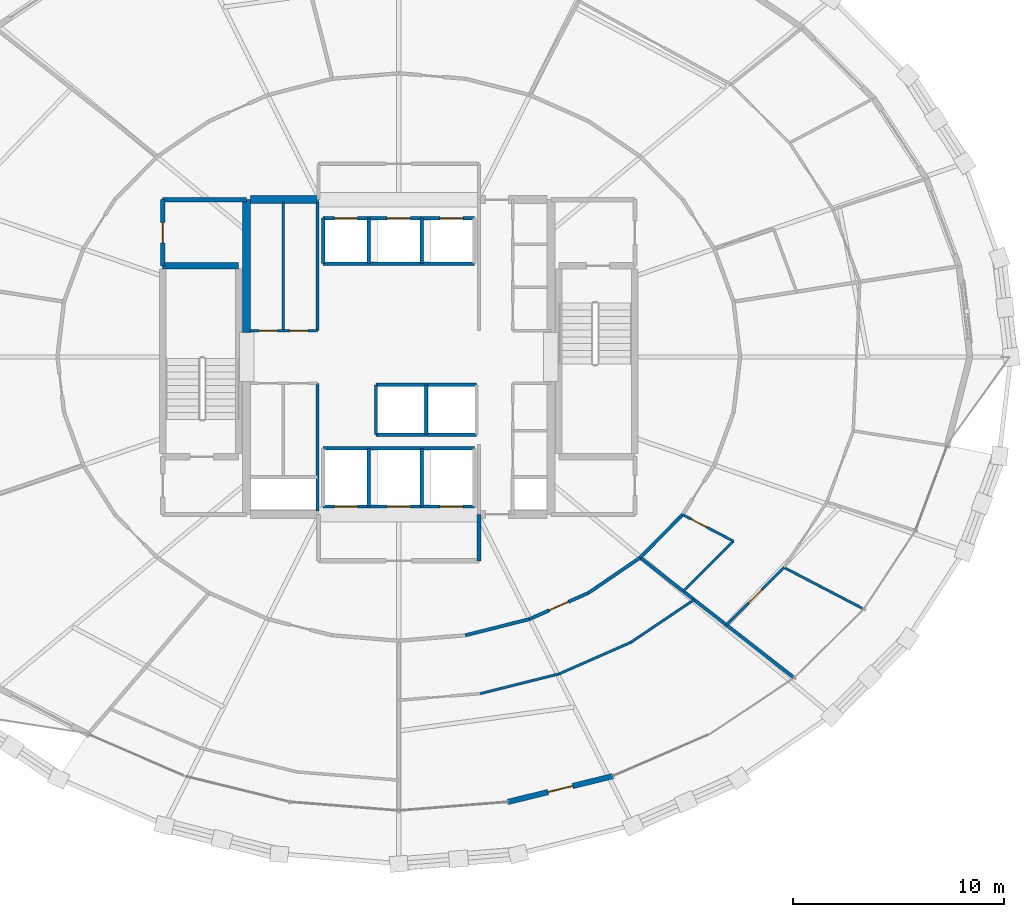
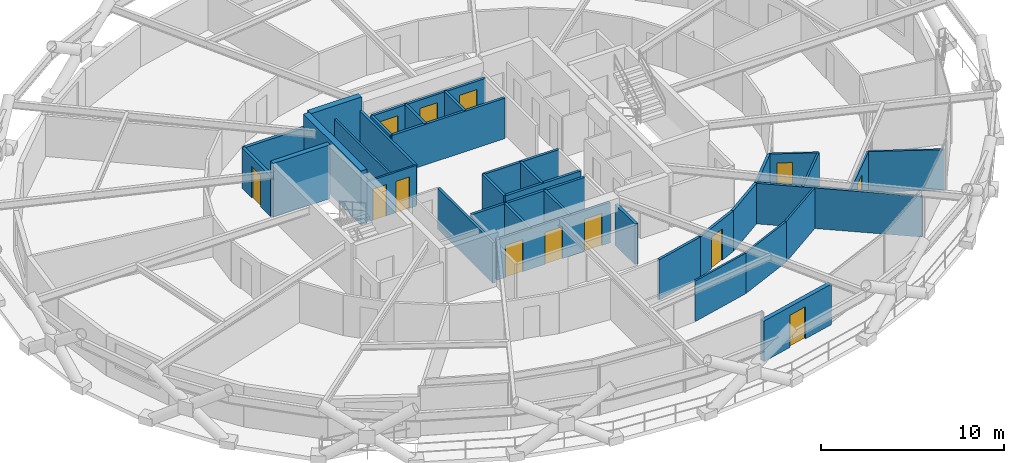
# One storey, part 16 of 22: 36 walls, 13 doors, 13 openings.
"""IFC4 building model written with IfcOpenShell, lengths in metres."""

from ifc_helpers import new_model, si_unit, direction, frame, frame_2d, origin, place, context, subcontext, project, spatial, rectangle, extrude, material, layer, layer_set, type_object, element, fill, save


model = new_model("IFC4")

# Units and contexts
model_context = context("Model", 3, precision=1e-05, world=origin(), true_north=direction((0.0, 1.0)))
body_context = subcontext(model_context, "Body", "Model", "MODEL_VIEW")
ifc_project = project(units=[si_unit("LENGTHUNIT", "METRE"), si_unit("AREAUNIT", "SQUARE_METRE"), si_unit("VOLUMEUNIT", "CUBIC_METRE"), si_unit("PLANEANGLEUNIT", "RADIAN"), si_unit("MASSUNIT", "GRAM", prefix="KILO")], contexts=[model_context])

# Site, building, storey
site_placement = place(None, origin())
site = spatial("IfcSite", under=ifc_project, at=site_placement, CompositionType="ELEMENT")
building_placement = place(site_placement, origin())
building = spatial("IfcBuilding", under=site, at=building_placement, Name="Veldorina Hangang Commons", CompositionType="ELEMENT")
storey_placement = place(building_placement, frame((0.0, 0.0, 80.800048828125)))
storey = spatial("IfcBuildingStorey", under=building, at=storey_placement, Name="L20", CompositionType="ELEMENT", Elevation=80.800048828125)

# Walls
ifc_material_1 = material(Name="Concrete C70/85", Category="concrete")
ifc_layer_1 = layer(ifc_material_1, 0.3798828125)
ifc_layer_set_1 = layer_set([ifc_layer_1], Name="Concrete C70/85")
wall_type_1 = type_object("IfcWallType", Name="CW-RC380-C70", PredefinedType="SHEAR", material=ifc_layer_set_1)
wall_1_placement = place(storey_placement, frame((24.800048828125, 25.14990234375, 0.0), z_axis=(0.0, 0.0, 1.0), x_axis=(0.0, 1.0, 0.0)))
element("IfcWall", 1, at=wall_1_placement, inside=storey, type_object=wall_type_1, Name="L20 W north core shear wall", PredefinedType="SHEAR", context=body_context, shape_type="SweptSolid", body=[
    extrude(rectangle(XDim=6.300048828125, YDim=0.3798828125, at=frame_2d((3.14990234375, 0.0))), origin(), (0.0, 0.0, 1.0), 3.599853515625),
])
wall_2_placement = place(storey_placement, frame((24.989990234375, 31.449951171875, 0.0), z_axis=(0.0, 0.0, 1.0), x_axis=(1.0, 0.0, 0.0)))
element("IfcWall", 2, at=wall_2_placement, inside=storey, type_object=wall_type_1, Name="L20 north-west core shear wall", PredefinedType="SHEAR", context=body_context, shape_type="SweptSolid", body=[
    extrude(rectangle(XDim=3.2099609375, YDim=0.3798828125, at=frame_2d((1.60498046875, 0.0))), origin(), (0.0, 0.0, 1.0), 3.599853515625),
])

# Wall, opening, door
ifc_material_2 = material(Name="Stone Roman Travertine", Category="masonry")
ifc_layer_2 = layer(ifc_material_2, 0.260009765625)
ifc_layer_set_2 = layer_set([ifc_layer_2], Name="Stone Roman Travertine")
wall_type_2 = type_object("IfcWallType", Name="EW-LOGGIA-260", PredefinedType="STANDARD", material=ifc_layer_set_2)
wall_3_placement = place(storey_placement, frame((37.166015625, 2.9326171875, 0.0), z_axis=(0.0, 0.0, 1.0), x_axis=(0.97103140573, 0.238951897011, 0.0)))
wall_3 = element("IfcWall", 3, at=wall_3_placement, inside=storey, type_object=wall_type_2, Name="L20 sky-garden loggia portal wall 25", PredefinedType="STANDARD", context=body_context, shape_type="SweptSolid", body=[
    extrude(rectangle(XDim=5.11572265625, YDim=0.260009765625, at=frame_2d((2.557861328125, 0.0))), origin(), (0.0, 0.0, 1.0), 2.7099609375),
])
opening_1_placement = place(wall_3_placement, frame((1.957763671875, 0.0, 0.0)))
opening_1 = element("IfcOpeningElement", 4, at=opening_1_placement, cuts=wall_3, Name="Opening BD-1200", PredefinedType="OPENING", context=body_context, shape_type="SweptSolid", body=[
    extrude(rectangle(XDim=1.199951171875, YDim=2.14990234375, at=frame_2d((0.60009765625, 1.074951171875))), frame((0.0, 0.14013671875, 0.0), z_axis=(0.0, -1.0, 0.0), x_axis=(1.0, 0.0, 0.0)), (0.0, 0.0, 1.0), 0.280029296875),
])
ifc_material_3 = material(Name="Glass Thermal Aluminium Frame", Category="aluminium")
door_type_1 = type_object("IfcDoorType", Name="DR-EXT-LOG1200", OperationType="SINGLE_SWING_LEFT", PredefinedType="DOOR", material=ifc_material_3)
door_1_placement = place(opening_1_placement, origin())
door_1 = element("IfcDoor", 5, at=door_1_placement, inside=storey, type_object=door_type_1, Name="L20 loggia glazed exterior door 25", OperationType="SINGLE_SWING_RIGHT", OverallHeight=2.14990234375, OverallWidth=1.199951171875, PredefinedType="DOOR", context=body_context, shape_type="SweptSolid", body=[
    extrude(rectangle(XDim=1.199951171875, YDim=2.14990234375, at=frame_2d((0.60009765625, 1.074951171875))), frame((0.0, 0.02490234375, 0.0), z_axis=(0.0, -1.0, 0.0), x_axis=(1.0, 0.0, 0.0)), (0.0, 0.0, 1.0), 0.050048828125),
])
fill(opening_1, door_1)

# Wall
ifc_material_4 = material(Name="Concrete C50/60", Category="concrete")
ifc_layer_3 = layer(ifc_material_4, 0.300048828125)
ifc_layer_set_3 = layer_set([ifc_layer_3], Name="Concrete C50/60")
wall_type_3 = type_object("IfcWallType", Name="SW-STAIR-300", PredefinedType="SHEAR", material=ifc_layer_set_3)
wall_4_placement = place(storey_placement, frame((20.820068359375, 28.320068359375, 0.0), z_axis=(0.0, 0.0, 1.0), x_axis=(1.0, 0.0, 0.0)))
element("IfcWall", 6, at=wall_4_placement, inside=storey, type_object=wall_type_3, Name="L20 ST1 north stair shear wall", PredefinedType="SHEAR", context=body_context, shape_type="SweptSolid", body=[
    extrude(rectangle(XDim=3.599853515625, YDim=0.300048828125, at=frame_2d((1.7998046875, 0.0))), origin(), (0.0, 0.0, 1.0), 3.599853515625),
])

# Wall, openings, doors
ifc_material_5 = material(Name="Gypsum Fire-Rated Twin Stud Wall", Category="gypsum")
ifc_layer_4 = layer(ifc_material_5, 0.159912109375)
ifc_layer_set_4 = layer_set([ifc_layer_4], Name="Gypsum Fire-Rated Twin Stud Wall")
wall_type_4 = type_object("IfcWallType", Name="WL-FIRE-160", PredefinedType="SOLIDWALL", material=ifc_layer_set_4)
wall_5_placement = place(storey_placement, frame((28.419921875, 30.580078125, 0.0), z_axis=(0.0, 0.0, 1.0), x_axis=(1.0, 0.0, 0.0)))
wall_5 = element("IfcWall", 7, at=wall_5_placement, inside=storey, type_object=wall_type_4, Name="L20 Low-bank front shaft wall 015", PredefinedType="SOLIDWALL", context=body_context, shape_type="SweptSolid", body=[
    extrude(rectangle(XDim=7.16015625, YDim=0.159912109375, at=frame_2d((3.580078125, 0.0))), origin(), (0.0, 0.0, 1.0), 2.7099609375),
])
opening_2_placement = place(wall_5_placement, frame((0.530029296875, 0.0, 0.0)))
opening_2 = element("IfcOpeningElement", 8, at=opening_2_placement, cuts=wall_5, Name="Opening LD-01", PredefinedType="OPENING", context=body_context, shape_type="SweptSolid", body=[
    extrude(rectangle(XDim=1.10009765625, YDim=2.14990234375, at=frame_2d((0.550048828125, 1.074951171875))), frame((0.0, 0.08984375, 0.0), z_axis=(0.0, -1.0, 0.0), x_axis=(1.0, 0.0, 0.0)), (0.0, 0.0, 1.0), 0.179931640625),
])
opening_3_placement = place(wall_5_placement, frame((3.030029296875, 0.0, 0.0)))
opening_3 = element("IfcOpeningElement", 9, at=opening_3_placement, cuts=wall_5, Name="Opening LD-01", PredefinedType="OPENING", context=body_context, shape_type="SweptSolid", body=[
    extrude(rectangle(XDim=1.10009765625, YDim=2.14990234375, at=frame_2d((0.550048828125, 1.074951171875))), frame((0.0, 0.08984375, 0.0), z_axis=(0.0, -1.0, 0.0), x_axis=(1.0, 0.0, 0.0)), (0.0, 0.0, 1.0), 0.179931640625),
])
opening_4_placement = place(wall_5_placement, frame((5.530029296875, 0.0, 0.0)))
opening_4 = element("IfcOpeningElement", 10, at=opening_4_placement, cuts=wall_5, Name="Opening LD-01", PredefinedType="OPENING", context=body_context, shape_type="SweptSolid", body=[
    extrude(rectangle(XDim=1.10009765625, YDim=2.14990234375, at=frame_2d((0.550048828125, 1.074951171875))), frame((0.0, 0.08984375, 0.0), z_axis=(0.0, -1.0, 0.0), x_axis=(1.0, 0.0, 0.0)), (0.0, 0.0, 1.0), 0.179931640625),
])
ifc_material_6 = material(Name="Stainless Steel Brushed Lift Door", Category="steel")
door_type_2 = type_object("IfcDoorType", Name="DR-LIFT-1100", OperationType="SLIDING_TO_LEFT", PredefinedType="DOOR", material=ifc_material_6)
door_2_placement = place(opening_2_placement, origin())
door_2 = element("IfcDoor", 11, at=door_2_placement, inside=storey, type_object=door_type_2, Name="L20 Lift PL-L1 landing door 006", OperationType="SLIDING_TO_LEFT", OverallHeight=2.14990234375, OverallWidth=1.10009765625, PredefinedType="DOOR", context=body_context, shape_type="SweptSolid", body=[
    extrude(rectangle(XDim=1.10009765625, YDim=2.14990234375, at=frame_2d((0.550048828125, 1.074951171875))), frame((0.0, 0.02490234375, 0.0), z_axis=(0.0, -1.0, 0.0), x_axis=(1.0, 0.0, 0.0)), (0.0, 0.0, 1.0), 0.050048828125),
])
fill(opening_2, door_2)
door_3_placement = place(opening_3_placement, origin())
door_3 = element("IfcDoor", 12, at=door_3_placement, inside=storey, type_object=door_type_2, Name="L20 Lift PL-L2 landing door 007", OperationType="SLIDING_TO_LEFT", OverallHeight=2.14990234375, OverallWidth=1.10009765625, PredefinedType="DOOR", context=body_context, shape_type="SweptSolid", body=[
    extrude(rectangle(XDim=1.10009765625, YDim=2.14990234375, at=frame_2d((0.550048828125, 1.074951171875))), frame((0.0, 0.02490234375, 0.0), z_axis=(0.0, -1.0, 0.0), x_axis=(1.0, 0.0, 0.0)), (0.0, 0.0, 1.0), 0.050048828125),
])
fill(opening_3, door_3)
door_4_placement = place(opening_4_placement, origin())
door_4 = element("IfcDoor", 13, at=door_4_placement, inside=storey, type_object=door_type_2, Name="L20 Lift PL-L3 landing door 008", OperationType="SLIDING_TO_LEFT", OverallHeight=2.14990234375, OverallWidth=1.10009765625, PredefinedType="DOOR", context=body_context, shape_type="SweptSolid", body=[
    extrude(rectangle(XDim=1.10009765625, YDim=2.14990234375, at=frame_2d((0.550048828125, 1.074951171875))), frame((0.0, 0.02490234375, 0.0), z_axis=(0.0, -1.0, 0.0), x_axis=(1.0, 0.0, 0.0)), (0.0, 0.0, 1.0), 0.050048828125),
])
fill(opening_4, door_4)

# Walls
wall_6_placement = place(storey_placement, frame((28.419921875, 28.419921875, 0.0), z_axis=(0.0, 0.0, 1.0), x_axis=(1.0, 0.0, 0.0)))
element("IfcWall", 14, at=wall_6_placement, inside=storey, type_object=wall_type_4, Name="L20 Low-bank rear shaft wall 016", PredefinedType="SOLIDWALL", context=body_context, shape_type="SweptSolid", body=[
    extrude(rectangle(XDim=7.16015625, YDim=0.159912109375, at=frame_2d((3.580078125, 0.0))), origin(), (0.0, 0.0, 1.0), 2.7099609375),
])
for number, where, z_axis, x_axis, name in (
    (15, (28.419921875, 28.419921875, 0.0), (0.0, 0.0, 1.0), (0.0, 1.0, 0.0), "L20 PL-L1 west shaft wall 017"),
    (16, (30.580078125, 28.419921875, 0.0), (0.0, 0.0, 1.0), (0.0, 1.0, 0.0), "L20 PL-L1 east shaft wall 018"),
    (17, (33.080078125, 28.419921875, 0.0), (0.0, 0.0, 1.0), (0.0, 1.0, 0.0), "L20 PL-L2 east shaft wall 019"),
):
    element("IfcWall", number, at=place(storey_placement, frame(where, z_axis=z_axis, x_axis=x_axis)), inside=storey, type_object=wall_type_4, Name=name, PredefinedType="SOLIDWALL", context=body_context, shape_type="SweptSolid", body=[
        extrude(rectangle(XDim=2.16015625, YDim=0.159912109375, at=frame_2d((1.080078125, 0.0))), origin(), (0.0, 0.0, 1.0), 2.7099609375),
    ])
for number, where, z_axis, x_axis, name in (
    (18, (30.919921875, 22.679931640625, 0.0), (0.0, 0.0, 1.0), (1.0, 0.0, 0.0), "L20 Shuttle-high front shaft wall 021"),
    (19, (30.919921875, 20.320068359375, 0.0), (0.0, 0.0, 1.0), (1.0, 0.0, 0.0), "L20 Shuttle-high rear shaft wall 022"),
):
    element("IfcWall", number, at=place(storey_placement, frame(where, z_axis=z_axis, x_axis=x_axis)), inside=storey, type_object=wall_type_4, Name=name, PredefinedType="SOLIDWALL", context=body_context, shape_type="SweptSolid", body=[
        extrude(rectangle(XDim=4.760009765625, YDim=0.159912109375, at=frame_2d((2.3798828125, 0.0))), origin(), (0.0, 0.0, 1.0), 2.7099609375),
    ])
for number, where, z_axis, x_axis, name in (
    (20, (30.919921875, 20.320068359375, 0.0), (0.0, 0.0, 1.0), (0.0, 1.0, 0.0), "L20 SL-1 west shaft wall 023"),
    (21, (33.300048828125, 20.320068359375, 0.0), (0.0, 0.0, 1.0), (0.0, 1.0, 0.0), "L20 SL-1 east shaft wall 024"),
):
    element("IfcWall", number, at=place(storey_placement, frame(where, z_axis=z_axis, x_axis=x_axis)), inside=storey, type_object=wall_type_4, Name=name, PredefinedType="SOLIDWALL", context=body_context, shape_type="SweptSolid", body=[
        extrude(rectangle(XDim=2.35986328125, YDim=0.159912109375, at=frame_2d((1.179931640625, 0.0))), origin(), (0.0, 0.0, 1.0), 2.7099609375),
    ])

# Wall, openings, doors
wall_7_placement = place(storey_placement, frame((28.419921875, 16.919921875, 0.0), z_axis=(0.0, 0.0, 1.0), x_axis=(1.0, 0.0, 0.0)))
wall_7 = element("IfcWall", 22, at=wall_7_placement, inside=storey, type_object=wall_type_4, Name="L20 Emergency front shaft wall 026", PredefinedType="SOLIDWALL", context=body_context, shape_type="SweptSolid", body=[
    extrude(rectangle(XDim=7.16015625, YDim=0.159912109375, at=frame_2d((3.580078125, 0.0))), origin(), (0.0, 0.0, 1.0), 2.7099609375),
])
opening_5_placement = place(wall_7_placement, frame((0.530029296875, 0.0, 0.0)))
opening_5 = element("IfcOpeningElement", 23, at=opening_5_placement, cuts=wall_7, Name="Opening LD-03", PredefinedType="OPENING", context=body_context, shape_type="SweptSolid", body=[
    extrude(rectangle(XDim=1.10009765625, YDim=2.14990234375, at=frame_2d((0.550048828125, 1.074951171875))), frame((0.0, 0.08984375, 0.0), z_axis=(0.0, -1.0, 0.0), x_axis=(1.0, 0.0, 0.0)), (0.0, 0.0, 1.0), 0.179931640625),
])
opening_6_placement = place(wall_7_placement, frame((3.030029296875, 0.0, 0.0)))
opening_6 = element("IfcOpeningElement", 24, at=opening_6_placement, cuts=wall_7, Name="Opening LD-03", PredefinedType="OPENING", context=body_context, shape_type="SweptSolid", body=[
    extrude(rectangle(XDim=1.10009765625, YDim=2.14990234375, at=frame_2d((0.550048828125, 1.074951171875))), frame((0.0, 0.08984375, 0.0), z_axis=(0.0, -1.0, 0.0), x_axis=(1.0, 0.0, 0.0)), (0.0, 0.0, 1.0), 0.179931640625),
])
opening_7_placement = place(wall_7_placement, frame((5.530029296875, 0.0, 0.0)))
opening_7 = element("IfcOpeningElement", 25, at=opening_7_placement, cuts=wall_7, Name="Opening LD-03", PredefinedType="OPENING", context=body_context, shape_type="SweptSolid", body=[
    extrude(rectangle(XDim=1.10009765625, YDim=2.14990234375, at=frame_2d((0.550048828125, 1.074951171875))), frame((0.0, 0.08984375, 0.0), z_axis=(0.0, -1.0, 0.0), x_axis=(1.0, 0.0, 0.0)), (0.0, 0.0, 1.0), 0.179931640625),
])
ifc_material_7 = material(Name="Stainless Steel Firefighting Lift Door", Category="steel")
door_type_3 = type_object("IfcDoorType", Name="DR-LIFT-FF1100", OperationType="SLIDING_TO_RIGHT", PredefinedType="DOOR", material=ifc_material_7)
door_5_placement = place(opening_5_placement, origin())
door_5 = element("IfcDoor", 26, at=door_5_placement, inside=storey, type_object=door_type_3, Name="L20 Emergency lift FFL-1 landing door 009", OperationType="SLIDING_TO_RIGHT", OverallHeight=2.14990234375, OverallWidth=1.10009765625, PredefinedType="DOOR", context=body_context, shape_type="SweptSolid", body=[
    extrude(rectangle(XDim=1.10009765625, YDim=2.14990234375, at=frame_2d((0.550048828125, 1.074951171875))), frame((0.0, 0.02490234375, 0.0), z_axis=(0.0, -1.0, 0.0), x_axis=(1.0, 0.0, 0.0)), (0.0, 0.0, 1.0), 0.050048828125),
])
fill(opening_5, door_5)
door_6_placement = place(opening_6_placement, origin())
door_6 = element("IfcDoor", 27, at=door_6_placement, inside=storey, type_object=door_type_3, Name="L20 Emergency lift FFL-2 landing door 010", OperationType="SLIDING_TO_RIGHT", OverallHeight=2.14990234375, OverallWidth=1.10009765625, PredefinedType="DOOR", context=body_context, shape_type="SweptSolid", body=[
    extrude(rectangle(XDim=1.10009765625, YDim=2.14990234375, at=frame_2d((0.550048828125, 1.074951171875))), frame((0.0, 0.02490234375, 0.0), z_axis=(0.0, -1.0, 0.0), x_axis=(1.0, 0.0, 0.0)), (0.0, 0.0, 1.0), 0.050048828125),
])
fill(opening_6, door_6)
door_7_placement = place(opening_7_placement, origin())
door_7 = element("IfcDoor", 28, at=door_7_placement, inside=storey, type_object=door_type_3, Name="L20 Emergency lift EVL-1 landing door 011", OperationType="SLIDING_TO_RIGHT", OverallHeight=2.14990234375, OverallWidth=1.10009765625, PredefinedType="DOOR", context=body_context, shape_type="SweptSolid", body=[
    extrude(rectangle(XDim=1.10009765625, YDim=2.14990234375, at=frame_2d((0.550048828125, 1.074951171875))), frame((0.0, 0.02490234375, 0.0), z_axis=(0.0, -1.0, 0.0), x_axis=(1.0, 0.0, 0.0)), (0.0, 0.0, 1.0), 0.050048828125),
])
fill(opening_7, door_7)

# Walls
wall_8_placement = place(storey_placement, frame((28.419921875, 19.679931640625, 0.0), z_axis=(0.0, 0.0, 1.0), x_axis=(1.0, 0.0, 0.0)))
element("IfcWall", 29, at=wall_8_placement, inside=storey, type_object=wall_type_4, Name="L20 Emergency rear shaft wall 027", PredefinedType="SOLIDWALL", context=body_context, shape_type="SweptSolid", body=[
    extrude(rectangle(XDim=7.16015625, YDim=0.159912109375, at=frame_2d((3.580078125, 0.0))), origin(), (0.0, 0.0, 1.0), 2.7099609375),
])
for number, where, z_axis, x_axis, name in (
    (30, (30.580078125, 16.919921875, 0.0), (0.0, 0.0, 1.0), (0.0, 1.0, 0.0), "L20 FFL-1 east shaft wall 029"),
    (31, (33.080078125, 16.919921875, 0.0), (0.0, 0.0, 1.0), (0.0, 1.0, 0.0), "L20 FFL-2 east shaft wall 030"),
):
    element("IfcWall", number, at=place(storey_placement, frame(where, z_axis=z_axis, x_axis=x_axis)), inside=storey, type_object=wall_type_4, Name=name, PredefinedType="SOLIDWALL", context=body_context, shape_type="SweptSolid", body=[
        extrude(rectangle(XDim=2.760009765625, YDim=0.159912109375, at=frame_2d((1.3798828125, 0.0))), origin(), (0.0, 0.0, 1.0), 2.7099609375),
    ])
wall_9_placement = place(storey_placement, frame((28.14990234375, 16.699951171875, 0.0), z_axis=(0.0, 0.0, 1.0), x_axis=(0.0, 1.0, 0.0)))
element("IfcWall", 32, at=wall_9_placement, inside=storey, type_object=wall_type_4, Name="L20 SW core inner wall 036", PredefinedType="SOLIDWALL", context=body_context, shape_type="SweptSolid", body=[
    extrude(rectangle(XDim=6.050048828125, YDim=0.159912109375, at=frame_2d((3.02490234375, 0.0))), origin(), (0.0, 0.0, 1.0), 2.7099609375),
])
wall_10_placement = place(storey_placement, frame((28.14990234375, 25.25, 0.0), z_axis=(0.0, 0.0, 1.0), x_axis=(0.0, 1.0, 0.0)))
element("IfcWall", 33, at=wall_10_placement, inside=storey, type_object=wall_type_4, Name="L20 NW core inner wall 038", PredefinedType="SOLIDWALL", context=body_context, shape_type="SweptSolid", body=[
    extrude(rectangle(XDim=6.10009765625, YDim=0.159912109375, at=frame_2d((3.050048828125, 0.0))), origin(), (0.0, 0.0, 1.0), 2.7099609375),
])
wall_11_placement = place(storey_placement, frame((35.153076171875, 10.82421875, 0.0), z_axis=(0.0, 0.0, 1.0), x_axis=(0.969653665365, 0.244482656326, 0.0)))
element("IfcWall", 34, at=wall_11_placement, inside=storey, type_object=wall_type_4, Name="L20 Corridor outer wall 25 075", PredefinedType="SOLIDWALL", context=body_context, shape_type="SweptSolid", body=[
    extrude(rectangle(XDim=3.126708984375, YDim=0.159912109375, at=frame_2d((1.5634765625, 0.0))), origin(), (0.0, 0.0, 1.0), 2.7099609375),
])

# Wall, opening, door
wall_12_placement = place(storey_placement, frame((38.184814453125, 11.588623046875, 0.0), z_axis=(0.0, 0.0, 1.0), x_axis=(0.913860932409, 0.406027334321, 0.0)))
wall_12 = element("IfcWall", 35, at=wall_12_placement, inside=storey, type_object=wall_type_4, Name="L20 Corridor outer wall 26 076", PredefinedType="SOLIDWALL", context=body_context, shape_type="SweptSolid", body=[
    extrude(rectangle(XDim=3.0576171875, YDim=0.159912109375, at=frame_2d((1.52880859375, 0.0))), origin(), (0.0, 0.0, 1.0), 2.7099609375),
])
opening_8_placement = place(wall_12_placement, frame((1.02880859375, 0.0, 0.0)))
opening_8 = element("IfcOpeningElement", 36, at=opening_8_placement, cuts=wall_12, Name="Opening D-05", PredefinedType="OPENING", context=body_context, shape_type="SweptSolid", body=[
    extrude(rectangle(XDim=1.0, YDim=2.10009765625, at=frame_2d((0.5, 1.050048828125))), frame((0.0, 0.08984375, 0.0), z_axis=(0.0, -1.0, 0.0), x_axis=(1.0, 0.0, 0.0)), (0.0, 0.0, 1.0), 0.179931640625),
])
ifc_material_8 = material(Name="Timber Solid Core Acoustic", Category="wood")
door_type_4 = type_object("IfcDoorType", Name="DR-INT-1000", OperationType="SINGLE_SWING_RIGHT", PredefinedType="DOOR", material=ifc_material_8)
door_8_placement = place(opening_8_placement, origin())
door_8 = element("IfcDoor", 37, at=door_8_placement, inside=storey, type_object=door_type_4, Name="L20 Commons alcove door 022", OperationType="SINGLE_SWING_RIGHT", OverallHeight=2.10009765625, OverallWidth=1.0, PredefinedType="DOOR", context=body_context, shape_type="SweptSolid", body=[
    extrude(rectangle(XDim=1.0, YDim=2.10009765625, at=frame_2d((0.5, 1.050048828125))), frame((0.0, 0.02490234375, 0.0), z_axis=(0.0, -1.0, 0.0), x_axis=(1.0, 0.0, 0.0)), (0.0, 0.0, 1.0), 0.050048828125),
])
fill(opening_8, door_8)

# Walls
wall_13_placement = place(storey_placement, frame((40.97900390625, 12.830078125, 0.0), z_axis=(0.0, 0.0, 1.0), x_axis=(0.826112340767, 0.563505457323, 0.0)))
element("IfcWall", 38, at=wall_13_placement, inside=storey, type_object=wall_type_4, Name="L20 Corridor outer wall 27 077", PredefinedType="SOLIDWALL", context=body_context, shape_type="SweptSolid", body=[
    extrude(rectangle(XDim=2.96484375, YDim=0.159912109375, at=frame_2d((1.482421875, 0.0))), origin(), (0.0, 0.0, 1.0), 2.7099609375),
])
wall_14_placement = place(storey_placement, frame((43.42822265625, 14.500732421875, 0.0), z_axis=(0.0, 0.0, 1.0), x_axis=(0.702569520063, 0.711615113301, 0.0)))
element("IfcWall", 39, at=wall_14_placement, inside=storey, type_object=wall_type_4, Name="L20 Corridor outer wall 28 078", PredefinedType="SOLIDWALL", context=body_context, shape_type="SweptSolid", body=[
    extrude(rectangle(XDim=2.86083984375, YDim=0.159912109375, at=frame_2d((1.430419921875, 0.0))), origin(), (0.0, 0.0, 1.0), 2.7099609375),
])
wall_15_placement = place(storey_placement, frame((43.42822265625, 14.500732421875, 0.0), z_axis=(0.0, 0.0, 1.0), x_axis=(0.788578725625, -0.614933812285, 0.0)))
element("IfcWall", 40, at=wall_15_placement, inside=storey, type_object=wall_type_4, Name="L20 Unit party wall 28 087", PredefinedType="SOLIDWALL", context=body_context, shape_type="SweptSolid", body=[
    extrude(rectangle(XDim=9.2021484375, YDim=0.159912109375, at=frame_2d((4.60107421875, 0.0))), origin(), (0.0, 0.0, 1.0), 2.7099609375),
])

# Wall, opening, door
ifc_material_9 = material(Name="Concrete Blockwork Fire Wall C30/37", Category="masonry")
ifc_layer_5 = layer(ifc_material_9, 0.199951171875)
ifc_layer_set_5 = layer_set([ifc_layer_5], Name="Concrete Blockwork Fire Wall C30/37")
wall_type_5 = type_object("IfcWallType", Name="WL-FIRE-200", PredefinedType="SOLIDWALL", material=ifc_layer_set_5)
wall_16_placement = place(storey_placement, frame((20.820068359375, 28.320068359375, 0.0), z_axis=(0.0, 0.0, 1.0), x_axis=(0.0, 1.0, 0.0)))
wall_16 = element("IfcWall", 41, at=wall_16_placement, inside=storey, type_object=wall_type_5, Name="L20 NW core room outer wall 005", PredefinedType="SOLIDWALL", context=body_context, shape_type="SweptSolid", body=[
    extrude(rectangle(XDim=3.1298828125, YDim=0.199951171875, at=frame_2d((1.56494140625, 0.0))), origin(), (0.0, 0.0, 1.0), 2.7099609375),
])
opening_9_placement = place(wall_16_placement, frame((1.090087890625, 0.0, 0.0)))
opening_9 = element("IfcOpeningElement", 42, at=opening_9_placement, cuts=wall_16, Name="Opening D-04", PredefinedType="OPENING", context=body_context, shape_type="SweptSolid", body=[
    extrude(rectangle(XDim=0.949951171875, YDim=2.10009765625, at=frame_2d((0.47509765625, 1.050048828125))), frame((0.0, 0.10986328125, 0.0), z_axis=(0.0, -1.0, 0.0), x_axis=(1.0, 0.0, 0.0)), (0.0, 0.0, 1.0), 0.219970703125),
])
ifc_material_10 = material(Name="Timber Accessible Flush Leaf", Category="wood")
door_type_5 = type_object("IfcDoorType", Name="DR-ACC-950", OperationType="SINGLE_SWING_LEFT", PredefinedType="DOOR", material=ifc_material_10)
door_9_placement = place(opening_9_placement, origin())
door_9 = element("IfcDoor", 43, at=door_9_placement, inside=storey, type_object=door_type_5, Name="L20 NW core WC door 003", OperationType="SINGLE_SWING_LEFT", OverallHeight=2.10009765625, OverallWidth=0.949951171875, PredefinedType="DOOR", context=body_context, shape_type="SweptSolid", body=[
    extrude(rectangle(XDim=0.949951171875, YDim=2.10009765625, at=frame_2d((0.47509765625, 1.050048828125))), frame((0.0, 0.02490234375, 0.0), z_axis=(0.0, -1.0, 0.0), x_axis=(1.0, 0.0, 0.0)), (0.0, 0.0, 1.0), 0.050048828125),
])
fill(opening_9, door_9)

# Walls
wall_17_placement = place(storey_placement, frame((20.820068359375, 31.449951171875, 0.0), z_axis=(0.0, 0.0, 1.0), x_axis=(1.0, 0.0, 0.0)))
element("IfcWall", 44, at=wall_17_placement, inside=storey, type_object=wall_type_5, Name="L20 NW core room north wall 006", PredefinedType="SOLIDWALL", context=body_context, shape_type="SweptSolid", body=[
    extrude(rectangle(XDim=3.97998046875, YDim=0.199951171875, at=frame_2d((1.989990234375, 0.0))), origin(), (0.0, 0.0, 1.0), 2.7099609375),
])
wall_18_placement = place(storey_placement, frame((35.800048828125, 14.35009765625, 0.0), z_axis=(0.0, 0.0, 1.0), x_axis=(0.0, 1.0, 0.0)))
element("IfcWall", 45, at=wall_18_placement, inside=storey, type_object=wall_type_5, Name="L20 FF lobby east wall 013", PredefinedType="SOLIDWALL", context=body_context, shape_type="SweptSolid", body=[
    extrude(rectangle(XDim=2.199951171875, YDim=0.199951171875, at=frame_2d((1.10009765625, 0.0))), origin(), (0.0, 0.0, 1.0), 2.7099609375),
])

# Wall, openings, doors
ifc_material_11 = material(Name="Gypsum Acoustic Stud Partition", Category="gypsum")
ifc_layer_6 = layer(ifc_material_11, 0.1201171875)
ifc_layer_set_6 = layer_set([ifc_layer_6], Name="Gypsum Acoustic Stud Partition")
wall_type_6 = type_object("IfcWallType", Name="WL-PART-120", PredefinedType="PARTITIONING", material=ifc_layer_set_6)
wall_19_placement = place(storey_placement, frame((24.949951171875, 25.25, 0.0), z_axis=(0.0, 0.0, 1.0), x_axis=(1.0, 0.0, 0.0)))
wall_19 = element("IfcWall", 46, at=wall_19_placement, inside=storey, type_object=wall_type_6, Name="L20 NW service south wall 039", PredefinedType="PARTITIONING", context=body_context, shape_type="SweptSolid", body=[
    extrude(rectangle(XDim=3.199951171875, YDim=0.1201171875, at=frame_2d((1.60009765625, 0.0))), origin(), (0.0, 0.0, 1.0), 2.7099609375),
])
opening_10_placement = place(wall_19_placement, frame((0.43994140625, 0.0, 0.0)))
opening_10 = element("IfcOpeningElement", 47, at=opening_10_placement, cuts=wall_19, Name="Opening D-01", PredefinedType="OPENING", context=body_context, shape_type="SweptSolid", body=[
    extrude(rectangle(XDim=0.860107421875, YDim=2.10009765625, at=frame_2d((0.43017578125, 1.050048828125))), frame((0.0, 0.070068359375, 0.0), z_axis=(0.0, -1.0, 0.0), x_axis=(1.0, 0.0, 0.0)), (0.0, 0.0, 1.0), 0.14013671875),
])
opening_11_placement = place(wall_19_placement, frame((1.89990234375, 0.0, 0.0)))
opening_11 = element("IfcOpeningElement", 48, at=opening_11_placement, cuts=wall_19, Name="Opening D-01", PredefinedType="OPENING", context=body_context, shape_type="SweptSolid", body=[
    extrude(rectangle(XDim=0.860107421875, YDim=2.10009765625, at=frame_2d((0.43017578125, 1.050048828125))), frame((0.0, 0.070068359375, 0.0), z_axis=(0.0, -1.0, 0.0), x_axis=(1.0, 0.0, 0.0)), (0.0, 0.0, 1.0), 0.14013671875),
])
ifc_material_12 = material(Name="Timber Moisture-Resistant Core", Category="wood")
door_type_6 = type_object("IfcDoorType", Name="DR-WET-860", OperationType="SINGLE_SWING_LEFT", PredefinedType="DOOR", material=ifc_material_12)
door_10_placement = place(opening_10_placement, origin())
door_10 = element("IfcDoor", 49, at=door_10_placement, inside=storey, type_object=door_type_6, Name="L20 Linen west door 013", OperationType="SINGLE_SWING_LEFT", OverallHeight=2.10009765625, OverallWidth=0.860107421875, PredefinedType="DOOR", context=body_context, shape_type="SweptSolid", body=[
    extrude(rectangle(XDim=0.860107421875, YDim=2.10009765625, at=frame_2d((0.43017578125, 1.050048828125))), frame((0.0, 0.02490234375, 0.0), z_axis=(0.0, -1.0, 0.0), x_axis=(1.0, 0.0, 0.0)), (0.0, 0.0, 1.0), 0.050048828125),
])
fill(opening_10, door_10)
door_11_placement = place(opening_11_placement, origin())
door_11 = element("IfcDoor", 50, at=door_11_placement, inside=storey, type_object=door_type_6, Name="L20 Data closet door 014", OperationType="SINGLE_SWING_RIGHT", OverallHeight=2.10009765625, OverallWidth=0.860107421875, PredefinedType="DOOR", context=body_context, shape_type="SweptSolid", body=[
    extrude(rectangle(XDim=0.860107421875, YDim=2.10009765625, at=frame_2d((0.43017578125, 1.050048828125))), frame((0.0, 0.02490234375, 0.0), z_axis=(0.0, -1.0, 0.0), x_axis=(1.0, 0.0, 0.0)), (0.0, 0.0, 1.0), 0.050048828125),
])
fill(opening_11, door_11)

# Walls
wall_20_placement = place(storey_placement, frame((26.530029296875, 25.25, 0.0), z_axis=(0.0, 0.0, 1.0), x_axis=(0.0, 1.0, 0.0)))
element("IfcWall", 51, at=wall_20_placement, inside=storey, type_object=wall_type_6, Name="L20 NW vertical split 045", PredefinedType="PARTITIONING", context=body_context, shape_type="SweptSolid", body=[
    extrude(rectangle(XDim=6.10009765625, YDim=0.1201171875, at=frame_2d((3.050048828125, 0.0))), origin(), (0.0, 0.0, 1.0), 2.7099609375),
])
wall_21_placement = place(storey_placement, frame((35.857421875, 8.06201171875, 0.0), z_axis=(0.0, 0.0, 1.0), x_axis=(0.970300068467, 0.241904479357, 0.0)))
element("IfcWall", 52, at=wall_21_placement, inside=storey, type_object=wall_type_6, Name="L20 Lounge alcove split 1 084", PredefinedType="PARTITIONING", context=body_context, shape_type="SweptSolid", body=[
    extrude(rectangle(XDim=3.822998046875, YDim=0.1201171875, at=frame_2d((1.91162109375, 0.0))), origin(), (0.0, 0.0, 1.0), 2.7099609375),
])
wall_22_placement = place(storey_placement, frame((39.56689453125, 8.98681640625, 0.0), z_axis=(0.0, 0.0, 1.0), x_axis=(0.915553018918, 0.402197301769, 0.0)))
element("IfcWall", 53, at=wall_22_placement, inside=storey, type_object=wall_type_6, Name="L20 Lounge alcove split 2 085", PredefinedType="PARTITIONING", context=body_context, shape_type="SweptSolid", body=[
    extrude(rectangle(XDim=3.733642578125, YDim=0.1201171875, at=frame_2d((1.86669921875, 0.0))), origin(), (0.0, 0.0, 1.0), 2.7099609375),
])
wall_23_placement = place(storey_placement, frame((42.9853515625, 10.488525390625, 0.0), z_axis=(0.0, 0.0, 1.0), x_axis=(0.829066303205, 0.55915030617, 0.0)))
element("IfcWall", 54, at=wall_23_placement, inside=storey, type_object=wall_type_6, Name="L20 Lounge alcove split 3 086", PredefinedType="PARTITIONING", context=body_context, shape_type="SweptSolid", body=[
    extrude(rectangle(XDim=3.614501953125, YDim=0.1201171875, at=frame_2d((1.80712890625, 0.0))), origin(), (0.0, 0.0, 1.0), 2.7099609375),
])
wall_24_placement = place(storey_placement, frame((45.47119140625, 12.90771484375, 0.0), z_axis=(0.0, 0.0, 1.0), x_axis=(0.705905490377, 0.708306034604, 0.0)))
element("IfcWall", 55, at=wall_24_placement, inside=storey, type_object=wall_type_6, Name="L20 Cluster 2 bath front wall 088", PredefinedType="PARTITIONING", context=body_context, shape_type="SweptSolid", body=[
    extrude(rectangle(XDim=3.356201171875, YDim=0.1201171875, at=frame_2d((1.67822265625, 0.0))), origin(), (0.0, 0.0, 1.0), 2.7099609375),
])

# Wall, opening, door
wall_25_placement = place(storey_placement, frame((45.438232421875, 16.53662109375, 0.0), z_axis=(0.0, 0.0, 1.0), x_axis=(0.886820978736, -0.462113137309, 0.0)))
wall_25 = element("IfcWall", 56, at=wall_25_placement, inside=storey, type_object=wall_type_6, Name="L20 Cluster 2 bath side wall 089", PredefinedType="PARTITIONING", context=body_context, shape_type="SweptSolid", body=[
    extrude(rectangle(XDim=2.708740234375, YDim=0.1201171875, at=frame_2d((1.3544921875, 0.0))), origin(), (0.0, 0.0, 1.0), 2.7099609375),
])
opening_12_placement = place(wall_25_placement, frame((0.43994140625, 0.0, 0.0)))
opening_12 = element("IfcOpeningElement", 57, at=opening_12_placement, cuts=wall_25, Name="Opening D-01", PredefinedType="OPENING", context=body_context, shape_type="SweptSolid", body=[
    extrude(rectangle(XDim=0.860107421875, YDim=2.10009765625, at=frame_2d((0.43017578125, 1.050048828125))), frame((0.0, 0.070068359375, 0.0), z_axis=(0.0, -1.0, 0.0), x_axis=(1.0, 0.0, 0.0)), (0.0, 0.0, 1.0), 0.14013671875),
])
door_12_placement = place(opening_12_placement, origin())
door_12 = element("IfcDoor", 58, at=door_12_placement, inside=storey, type_object=door_type_6, Name="L20 Cluster 2 shared bathroom door 024", OperationType="SINGLE_SWING_RIGHT", OverallHeight=2.10009765625, OverallWidth=0.860107421875, PredefinedType="DOOR", context=body_context, shape_type="SweptSolid", body=[
    extrude(rectangle(XDim=0.860107421875, YDim=2.10009765625, at=frame_2d((0.43017578125, 1.050048828125))), frame((0.0, 0.02490234375, 0.0), z_axis=(0.0, -1.0, 0.0), x_axis=(1.0, 0.0, 0.0)), (0.0, 0.0, 1.0), 0.050048828125),
])
fill(opening_12, door_12)

wall_26_placement = place(storey_placement, frame((47.513916015625, 11.314697265625, 0.0), z_axis=(0.0, 0.0, 1.0), x_axis=(0.708405005875, 0.705806168613, 0.0)))
wall_26 = element("IfcWall", 59, at=wall_26_placement, inside=storey, type_object=wall_type_6, Name="L20 Cluster 2 bed 1 front wall 090", PredefinedType="PARTITIONING", context=body_context, shape_type="SweptSolid", body=[
    extrude(rectangle(XDim=3.8515625, YDim=0.1201171875, at=frame_2d((1.92578125, 0.0))), origin(), (0.0, 0.0, 1.0), 2.7099609375),
])
opening_13_placement = place(wall_26_placement, frame((1.45068359375, 0.0, 0.0)))
opening_13 = element("IfcOpeningElement", 60, at=opening_13_placement, cuts=wall_26, Name="Opening D-02", PredefinedType="OPENING", context=body_context, shape_type="SweptSolid", body=[
    extrude(rectangle(XDim=0.949951171875, YDim=2.10009765625, at=frame_2d((0.47509765625, 1.050048828125))), frame((0.0, 0.070068359375, 0.0), z_axis=(0.0, -1.0, 0.0), x_axis=(1.0, 0.0, 0.0)), (0.0, 0.0, 1.0), 0.14013671875),
])
door_type_7 = type_object("IfcDoorType", Name="DR-INT-950", OperationType="SINGLE_SWING_LEFT", PredefinedType="DOOR", material=ifc_material_8)
door_13_placement = place(opening_13_placement, origin())
door_13 = element("IfcDoor", 61, at=door_13_placement, inside=storey, type_object=door_type_7, Name="L20 Cluster 2 bed 1 door 026", OperationType="SINGLE_SWING_RIGHT", OverallHeight=2.10009765625, OverallWidth=0.949951171875, PredefinedType="DOOR", context=body_context, shape_type="SweptSolid", body=[
    extrude(rectangle(XDim=0.949951171875, YDim=2.10009765625, at=frame_2d((0.47509765625, 1.050048828125))), frame((0.0, 0.02490234375, 0.0), z_axis=(0.0, -1.0, 0.0), x_axis=(1.0, 0.0, 0.0)), (0.0, 0.0, 1.0), 0.050048828125),
])
fill(opening_13, door_13)

# Wall
wall_27_placement = place(storey_placement, frame((50.242431640625, 14.033203125, 0.0), z_axis=(0.0, 0.0, 1.0), x_axis=(0.886850665811, -0.462056161684, 0.0)))
element("IfcWall", 62, at=wall_27_placement, inside=storey, type_object=wall_type_6, Name="L20 Cluster 2 bed divider 1 092", PredefinedType="PARTITIONING", context=body_context, shape_type="SweptSolid", body=[
    extrude(rectangle(XDim=4.20654296875, YDim=0.1201171875, at=frame_2d((2.103271484375, 0.0))), origin(), (0.0, 0.0, 1.0), 2.7099609375),
])

save(model, "model.ifc")
